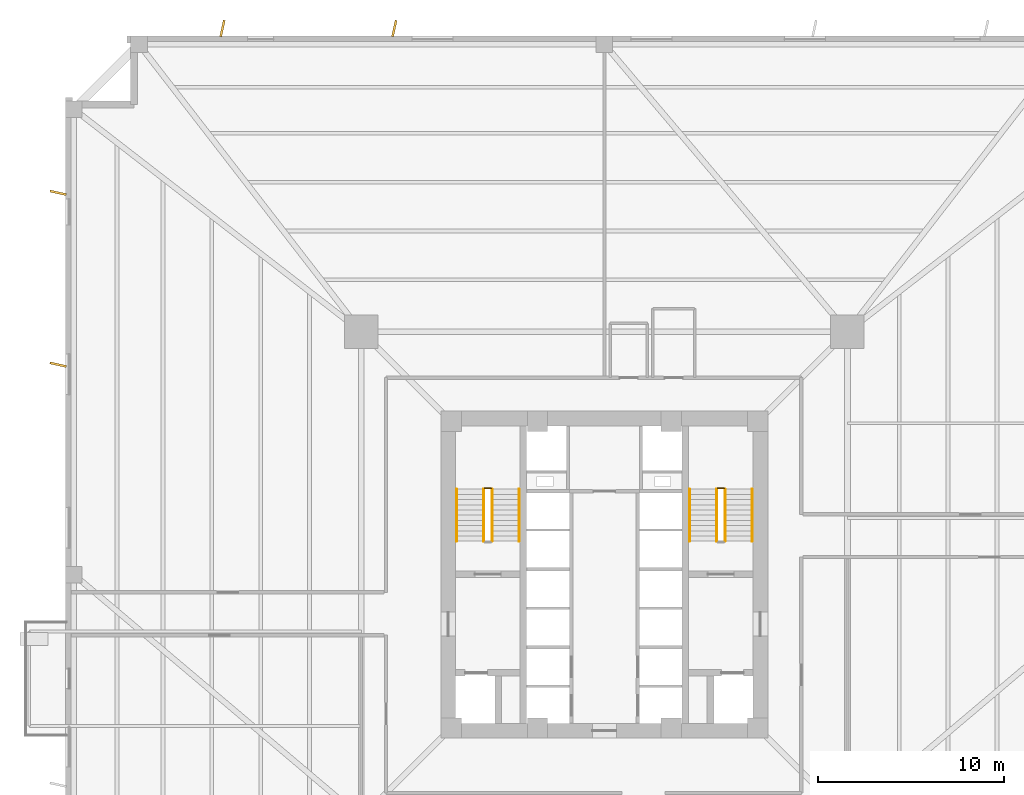
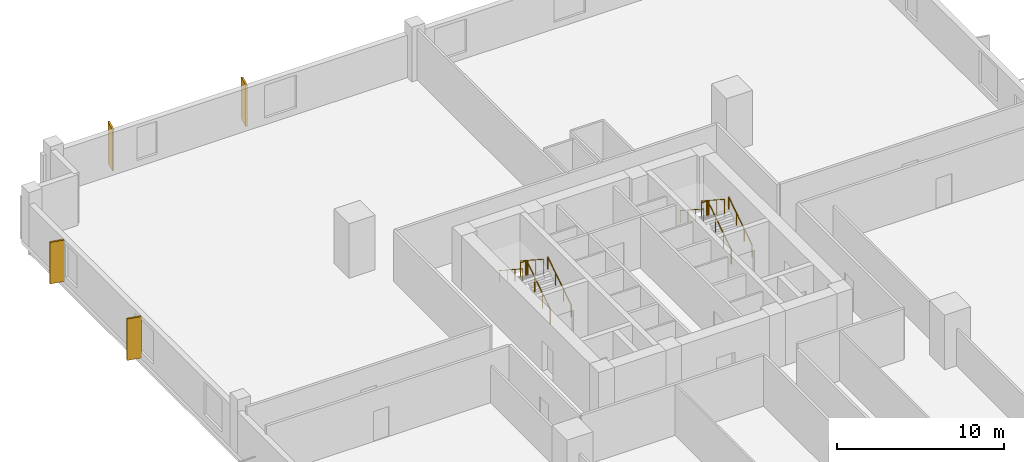
# One storey, part 8 of 9: 10 railings, 4 coverings.
"""IFC4 building model written with IfcOpenShell, lengths in metres."""

from ifc_helpers import new_model, si_unit, direction, frame, origin, origin_2d, place, context, subcontext, project, spatial, rectangle, circle, extrude, source, transform, mapped, material, layer, layer_set, type_object, element, save


model = new_model("IFC4")

# Units and contexts
model_context = context("Model", 3, precision=1e-05, world=origin(), true_north=direction((0.0, 1.0)))
body_context = subcontext(model_context, "Body", "Model", "MODEL_VIEW")
ifc_project = project(units=[si_unit("LENGTHUNIT", "METRE"), si_unit("AREAUNIT", "SQUARE_METRE"), si_unit("VOLUMEUNIT", "CUBIC_METRE"), si_unit("PLANEANGLEUNIT", "RADIAN"), si_unit("MASSUNIT", "GRAM", prefix="KILO"), si_unit("THERMODYNAMICTEMPERATUREUNIT", "KELVIN")], contexts=[model_context])

# Site, building, storey
site_placement = place(None, origin())
site = spatial("IfcSite", under=ifc_project, at=site_placement, CompositionType="ELEMENT")
building_placement = place(site_placement, origin())
building = spatial("IfcBuilding", under=site, at=building_placement, Name="Kosmvard Interchange Tower", CompositionType="ELEMENT")
storey_placement = place(building_placement, frame((0.0, 0.0, 58.0)))
storey = spatial("IfcBuildingStorey", under=building, at=storey_placement, Name="L13", CompositionType="ELEMENT", Elevation=58.0)

# Coverings
ifc_material_1 = material(Name="Architectural anodised aluminium", Category="aluminium")
ifc_layer = layer(ifc_material_1, 0.1201171875, Name="Architectural anodised aluminium")
ifc_layer_set = layer_set([ifc_layer], Name="Architectural anodised aluminium")
covering_type = type_object("IfcCoveringType", Name="Rotating Vertical Sun-Breaker Fin 900x120 Aluminium", PredefinedType="CLADDING", material=ifc_layer_set)
shared_shape_1 = source(origin(), body_context, "Body", "SweptSolid", [
    extrude(rectangle(XDim=0.89990234375, YDim=0.1201171875, at=origin_2d()), origin(), (0.0, 0.0, 1.0), 3.0400390625),
])
for number, where, z_axis, x_axis, name in (
    (1, (-11.3037109375, 29.39990234375, 0.0400390625), (0.0, 0.0, 1.0), (0.214564862428, 0.976709741843, 0.0), "L13 Rotating Vertical Sun-Breaker Fin 11"),
    (2, (-20.552001953125, 29.39990234375, 0.0400390625), (0.0, 0.0, 1.0), (0.214564862428, 0.976709741843, 0.0), "L13 Rotating Vertical Sun-Breaker Fin 12"),
    (3, (-29.39990234375, 20.552001953125, 0.0400390625), (0.0, 0.0, 1.0), (-0.976709741843, 0.214564862428, 0.0), "L13 Rotating Vertical Sun-Breaker Fin 13"),
    (4, (-29.39990234375, 11.3037109375, 0.0400390625), (0.0, 0.0, 1.0), (-0.976709741843, 0.214564862428, 0.0), "L13 Rotating Vertical Sun-Breaker Fin 14"),
):
    element("IfcCovering", number, at=place(storey_placement, frame(where, z_axis=z_axis, x_axis=x_axis)), inside=storey, type_object=covering_type, Name=name, PredefinedType="CLADDING", context=body_context, shape_type="MappedRepresentation", body=[
        mapped(shared_shape_1, transform((0.0, 0.0, 0.0), scale=1.0)),
    ])

# Railings
ifc_material_2 = material(Name="Steel S355", Category="steel")
railing_type_1 = type_object("IfcRailingType", Name="Stair & Terrace Safety Guardrail 1100 Steel", PredefinedType="GUARDRAIL", material=ifc_material_2)
shared_shape_2 = source(origin(), body_context, "Body", "SweptSolid", [
    extrude(circle(Radius=0.02392578125, at=origin_2d()), frame((0.0, 0.0, 1.076171875), z_axis=(-1.0, 0.0, 0.0), x_axis=(0.0, -1.0, 0.0)), (0.0, 0.0, 1.0), 0.35986328125),
    extrude(circle(Radius=0.02099609375, at=origin_2d()), origin(), (0.0, 0.0, 1.0), 1.052001953125),
    extrude(circle(Radius=0.02099609375, at=origin_2d()), frame((-0.35986328125, 0.0, 0.0)), (0.0, 0.0, 1.0), 1.052001953125),
])
for number, where, name in (
    (5, (-6.090087890625, 4.64990234375, 2.0), "L13 ST-1 stair guard 2"),
    (6, (6.449951171875, 4.64990234375, 2.0), "L13 ST-2 stair guard 2"),
):
    element("IfcRailing", number, at=place(storey_placement, frame(where)), inside=storey, type_object=railing_type_1, Name=name, PredefinedType="GUARDRAIL", context=body_context, shape_type="MappedRepresentation", body=[
        mapped(shared_shape_2, transform((0.0, 0.0, 0.0), scale=1.0)),
    ])
shared_shape_3 = source(origin(), body_context, "Body", "SweptSolid", [
    extrude(circle(Radius=0.02392578125, at=origin_2d()), frame((0.0, 0.0, 1.076171875), z_axis=(0.0, 0.838705829183, 0.544584733623), x_axis=(-1.0, 0.0, 0.0)), (0.0, 0.0, 1.0), 3.338623046875),
    extrude(circle(Radius=0.02099609375, at=origin_2d()), origin(), (0.0, 0.0, 1.0), 1.052001953125),
    extrude(circle(Radius=0.02099609375, at=origin_2d()), frame((0.0, 0.933349609375, 0.60595703125)), (0.0, 0.0, 1.0), 1.052001953125),
    extrude(circle(Radius=0.02099609375, at=origin_2d()), frame((0.0, 1.86669921875, 1.212158203125)), (0.0, 0.0, 1.0), 1.052001953125),
    extrude(circle(Radius=0.02099609375, at=origin_2d()), frame((0.0, 2.800048828125, 1.818115234375)), (0.0, 0.0, 1.0), 1.052001953125),
])
for number, where, name in (
    (7, (-6.0400390625, 1.800048828125, 0.181884765625), "L13 ST-1 stair guard 1"),
    (8, (6.5, 1.800048828125, 0.181884765625), "L13 ST-2 stair guard 1"),
):
    element("IfcRailing", number, at=place(storey_placement, frame(where)), inside=storey, type_object=railing_type_1, Name=name, PredefinedType="GUARDRAIL", context=body_context, shape_type="MappedRepresentation", body=[
        mapped(shared_shape_3, transform((0.0, 0.0, 0.0), scale=1.0)),
    ])
shared_shape_4 = source(origin(), body_context, "Body", "SweptSolid", [
    extrude(circle(Radius=0.02392578125, at=origin_2d()), frame((0.0, 0.0, 1.076171875), z_axis=(0.0, -0.838705829183, 0.544584733623), x_axis=(1.0, 0.0, 0.0)), (0.0, 0.0, 1.0), 3.338623046875),
    extrude(circle(Radius=0.02099609375, at=origin_2d()), origin(), (0.0, 0.0, 1.0), 1.052001953125),
    extrude(circle(Radius=0.02099609375, at=origin_2d()), frame((0.0, -0.933349609375, 0.60595703125)), (0.0, 0.0, 1.0), 1.052001953125),
    extrude(circle(Radius=0.02099609375, at=origin_2d()), frame((0.0, -1.86669921875, 1.212158203125)), (0.0, 0.0, 1.0), 1.052001953125),
    extrude(circle(Radius=0.02099609375, at=origin_2d()), frame((0.0, -2.800048828125, 1.818115234375)), (0.0, 0.0, 1.0), 1.052001953125),
])
for number, where, name in (
    (9, (-6.5, 4.60009765625, 2.181884765625), "L13 ST-1 stair guard 3"),
    (10, (6.0400390625, 4.60009765625, 2.181884765625), "L13 ST-2 stair guard 3"),
):
    element("IfcRailing", number, at=place(storey_placement, frame(where)), inside=storey, type_object=railing_type_1, Name=name, PredefinedType="GUARDRAIL", context=body_context, shape_type="MappedRepresentation", body=[
        mapped(shared_shape_4, transform((0.0, 0.0, 0.0), scale=1.0)),
    ])
railing_type_2 = type_object("IfcRailingType", Name="Wall-Mounted Stair Handrail 900 Steel", PredefinedType="HANDRAIL", material=ifc_material_2)
shared_shape_5 = source(origin(), body_context, "Body", "SweptSolid", [
    extrude(circle(Radius=0.02392578125, at=origin_2d()), frame((0.0, 0.0, 0.8759765625), z_axis=(0.0, 0.838705829183, 0.544584733623), x_axis=(-1.0, 0.0, 0.0)), (0.0, 0.0, 1.0), 3.338623046875),
    extrude(circle(Radius=0.02099609375, at=origin_2d()), origin(), (0.0, 0.0, 1.0), 0.851806640625),
    extrude(circle(Radius=0.02099609375, at=origin_2d()), frame((0.0, 0.933349609375, 0.60595703125)), (0.0, 0.0, 1.0), 0.851806640625),
    extrude(circle(Radius=0.02099609375, at=origin_2d()), frame((0.0, 1.86669921875, 1.212158203125)), (0.0, 0.0, 1.0), 0.851806640625),
    extrude(circle(Radius=0.02099609375, at=origin_2d()), frame((0.0, 2.800048828125, 1.818115234375)), (0.0, 0.0, 1.0), 0.851806640625),
])
for number, where, name in (
    (11, (-4.590087890625, 1.800048828125, 0.181884765625), "L13 ST-1 stair handrail 1"),
    (12, (7.949951171875, 1.800048828125, 0.181884765625), "L13 ST-2 stair handrail 1"),
):
    element("IfcRailing", number, at=place(storey_placement, frame(where)), inside=storey, type_object=railing_type_2, Name=name, PredefinedType="HANDRAIL", context=body_context, shape_type="MappedRepresentation", body=[
        mapped(shared_shape_5, transform((0.0, 0.0, 0.0), scale=1.0)),
    ])
shared_shape_6 = source(origin(), body_context, "Body", "SweptSolid", [
    extrude(circle(Radius=0.02392578125, at=origin_2d()), frame((0.0, 0.0, 0.8759765625), z_axis=(0.0, -0.838705829183, 0.544584733623), x_axis=(1.0, 0.0, 0.0)), (0.0, 0.0, 1.0), 3.338623046875),
    extrude(circle(Radius=0.02099609375, at=origin_2d()), origin(), (0.0, 0.0, 1.0), 0.851806640625),
    extrude(circle(Radius=0.02099609375, at=origin_2d()), frame((0.0, -0.933349609375, 0.60595703125)), (0.0, 0.0, 1.0), 0.851806640625),
    extrude(circle(Radius=0.02099609375, at=origin_2d()), frame((0.0, -1.86669921875, 1.212158203125)), (0.0, 0.0, 1.0), 0.851806640625),
    extrude(circle(Radius=0.02099609375, at=origin_2d()), frame((0.0, -2.800048828125, 1.818115234375)), (0.0, 0.0, 1.0), 0.851806640625),
])
for number, where, name in (
    (13, (-7.949951171875, 4.60009765625, 2.181884765625), "L13 ST-1 stair handrail 2"),
    (14, (4.590087890625, 4.60009765625, 2.181884765625), "L13 ST-2 stair handrail 2"),
):
    element("IfcRailing", number, at=place(storey_placement, frame(where)), inside=storey, type_object=railing_type_2, Name=name, PredefinedType="HANDRAIL", context=body_context, shape_type="MappedRepresentation", body=[
        mapped(shared_shape_6, transform((0.0, 0.0, 0.0), scale=1.0)),
    ])

save(model, "model.ifc")
